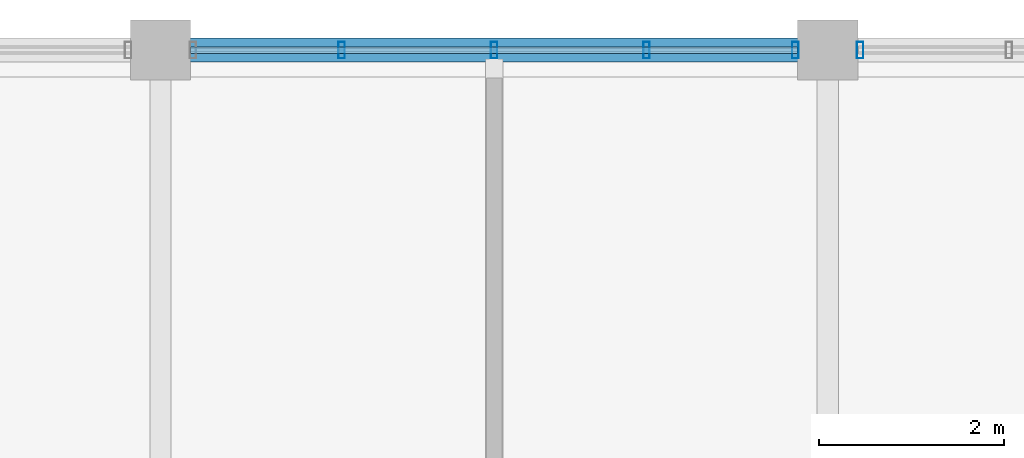
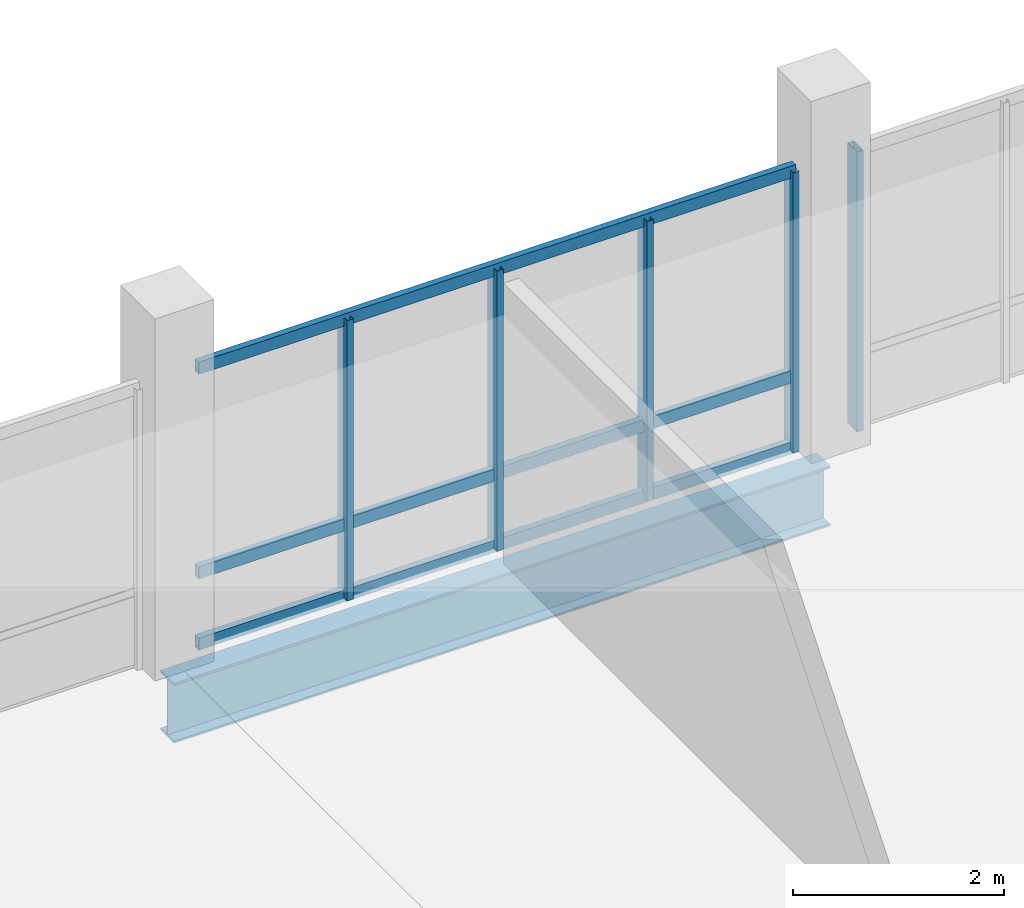
# One storey, part 51 of 144: 8 members, 1 beam, 2 elements without a shape of their own.
"""IFC4 building model written with IfcOpenShell, lengths in metres."""

import ifcopenshell
import ifcopenshell.guid

model = None  # the IFC model being written
_history = None  # IfcOwnerHistory: only IFC2X3 demands one
_inside = {}  # id of a spatial element -> (the spatial element, [elements in it])
_under = {}  # id of a project, library or spatial element -> (it, [spatial elements below it])
_declared = {}  # id of a project -> (the project, [libraries it declares])
_typed = {}  # id of a type object -> (the type object, [elements of that type])
_made_of = {}  # id of a material, layer set ... -> (it, [elements and type objects made of it])


def new_model(schema):
    """Start an empty IFC model of exactly this schema.

    Asked for "IFC4X3", IfcOpenShell would pick the latest addendum, in which some entities
    have other attributes; the version numbers below select the first issue.
    IFC2X3 requires an IfcOwnerHistory on every rooted entity: one is made here for all.
    """
    global model, _history
    if schema == "IFC4X3":
        model = ifcopenshell.file(schema_version=(4, 3, 0, 0))
    else:
        model = ifcopenshell.file(schema=schema)
    _inside.clear()
    _under.clear()
    _declared.clear()
    _typed.clear()
    _made_of.clear()
    _history = None
    if model.schema == "IFC2X3":
        org = make("IfcOrganization", Name="unknown")
        user = make(
            "IfcPersonAndOrganization",
            ThePerson=make("IfcPerson", FamilyName="unknown"),
            TheOrganization=org,
        )
        app = make(
            "IfcApplication",
            ApplicationDeveloper=org,
            Version="unknown",
            ApplicationFullName="unknown",
            ApplicationIdentifier="unknown",
        )
        _history = make(
            "IfcOwnerHistory",
            OwningUser=user,
            OwningApplication=app,
            ChangeAction="ADDED",
            CreationDate=0,
        )
    return model


def make(cls, **values):
    """One entity of the class cls with the attributes given. An attribute that is None is left unset."""
    return model.create_entity(
        cls, **{name: value for name, value in values.items() if value is not None}
    )


def rooted(cls, **values):
    """An entity with a GlobalId (a new one), such as an element, a storey or a relation."""
    return make(cls, GlobalId=ifcopenshell.guid.new(), OwnerHistory=_history, **values)


def si_unit(unit_type, name, prefix=None):
    """IfcSIUnit, for example si_unit("LENGTHUNIT", "METRE", prefix="MILLI")."""
    return make("IfcSIUnit", UnitType=unit_type, Prefix=prefix, Name=name)


def assignment(units):
    """IfcUnitAssignment: the units of a project."""
    return None if units is None else make("IfcUnitAssignment", Units=units)


def point(xyz):
    """IfcCartesianPoint."""
    return None if xyz is None else make("IfcCartesianPoint", Coordinates=xyz)


def direction(xyz):
    """IfcDirection."""
    return None if xyz is None else make("IfcDirection", DirectionRatios=xyz)


def frame(location, z_axis=None, x_axis=None):
    """IfcAxis2Placement3D, a coordinate frame: its origin and axes. An axis left out is left unset."""
    return make(
        "IfcAxis2Placement3D",
        Location=point(location),
        Axis=direction(z_axis),
        RefDirection=direction(x_axis),
    )


def frame_2d(location, x_axis=None):
    """IfcAxis2Placement2D, a coordinate frame in the plane: its origin and x axis."""
    return make(
        "IfcAxis2Placement2D", Location=point(location), RefDirection=direction(x_axis)
    )


def origin():
    """The frame at (0, 0, 0) with its axes left unset."""
    return frame((0.0, 0.0, 0.0))


def origin_2d():
    """The frame at (0, 0) in the plane with its x axis left unset."""
    return frame_2d((0.0, 0.0))


def place(relative_to, where):
    """IfcLocalPlacement: puts the frame where relative to a parent placement (None: the world)."""
    return make(
        "IfcLocalPlacement", PlacementRelTo=relative_to, RelativePlacement=where
    )


def context(
    kind, dimensions, precision=None, world=None, true_north=None, identifier=None
):
    """IfcGeometricRepresentationContext, for example the 3D "Model" context."""
    return make(
        "IfcGeometricRepresentationContext",
        ContextIdentifier=identifier,
        ContextType=kind,
        CoordinateSpaceDimension=dimensions,
        Precision=precision,
        WorldCoordinateSystem=world,
        TrueNorth=true_north,
    )


def subcontext(parent, identifier, kind, view, scale=None):
    """IfcGeometricRepresentationSubContext, for example "Body" below "Model"."""
    return make(
        "IfcGeometricRepresentationSubContext",
        ContextIdentifier=identifier,
        ContextType=kind,
        ParentContext=parent,
        TargetScale=scale,
        TargetView=view,
    )


def project(units=None, contexts=None):
    """IfcProject with its units and contexts."""
    return rooted(
        "IfcProject",
        Name="project",
        RepresentationContexts=contexts,
        UnitsInContext=assignment(units),
    )


def spatial(cls, under=None, at=None, **own):
    """A site, building, storey or space (cls), placed at a placement, below another one or the project."""
    s = rooted(cls, ObjectPlacement=at, **own)
    if under is not None:
        _under.setdefault(under.id(), (under, []))[1].append(s)
    return s


def profile(cls, at=None, kind="AREA", **sizes):
    """A parametric profile (cls). Its sizes go by their IFC names, for example OverallWidth=200.0."""
    return make(cls, ProfileType=kind, Position=at, **sizes)


def hollow_rectangle(**sizes):
    """IfcRectangleHollowProfileDef."""
    return profile("IfcRectangleHollowProfileDef", **sizes)


def i_section(**sizes):
    """IfcIShapeProfileDef."""
    return profile("IfcIShapeProfileDef", **sizes)


def extrude(swept, where, along, depth):
    """IfcExtrudedAreaSolid: the profile swept, set in the frame where, extruded along a direction by depth."""
    return make(
        "IfcExtrudedAreaSolid",
        SweptArea=swept,
        Position=where,
        ExtrudedDirection=direction(along),
        Depth=depth,
    )


def shape(context_of_items, identifier, shape_type, items):
    """IfcShapeRepresentation: the items that make up one representation, for example the "Body"."""
    return make(
        "IfcShapeRepresentation",
        ContextOfItems=context_of_items,
        RepresentationIdentifier=identifier,
        RepresentationType=shape_type,
        Items=items,
    )


def material(Name=None, Category=None):
    """IfcMaterial."""
    return make("IfcMaterial", Name=Name, Category=Category)


def material_profile(
    of_material, cross_section, Name=None, Category=None, Priority=None
):
    """IfcMaterialProfile: a cross section and its material."""
    return make(
        "IfcMaterialProfile",
        Name=Name,
        Material=of_material,
        Profile=cross_section,
        Priority=Priority,
        Category=Category,
    )


def profile_set(profiles, Name=None, composite=None):
    """IfcMaterialProfileSet."""
    return make(
        "IfcMaterialProfileSet",
        Name=Name,
        MaterialProfiles=profiles,
        CompositeProfile=composite,
    )


def made_of(thing, what):
    """Note that an element or type object is made of a material, layer set ...; save() writes the relation."""
    if what is not None:
        _made_of.setdefault(what.id(), (what, []))[1].append(thing)
    return thing


def type_object(cls, material=None, **own):
    """A type object (cls), such as IfcWallType, which elements share."""
    return made_of(rooted(cls, **own), material)


def element(
    cls,
    number,
    at=None,
    inside=None,
    cuts=None,
    type_object=None,
    material=None,
    context=None,
    identifier="Body",
    shape_type=None,
    held_by="IfcProductDefinitionShape",
    body=None,
    shapes=None,
    **own,
):
    """One element of the class cls, such as IfcWall. Its Tag is "e" and its number.

    at: its placement. inside: the storey or other place that contains it. cuts: it is an
    opening in that element (IfcRelVoidsElement). A single representation is given by context,
    identifier, shape_type and body (its items); several are given by shapes. held_by: the class
    of the entity that holds the representations. save() writes the other relations.
    """
    e = rooted(cls, Tag="e%d" % number, ObjectPlacement=at, **own)
    if body is not None:
        shapes = [shape(context, identifier, shape_type, body)]
    if shapes is not None:
        e.Representation = make(held_by, Representations=shapes)
    if inside is not None:
        _inside.setdefault(inside.id(), (inside, []))[1].append(e)
    if cuts is not None:
        rooted(
            "IfcRelVoidsElement", RelatingBuildingElement=cuts, RelatedOpeningElement=e
        )
    if type_object is not None:
        _typed.setdefault(type_object.id(), (type_object, []))[1].append(e)
    return made_of(e, material)


def aggregate(whole, parts):
    """IfcRelAggregates: a whole, such as a stair, and the parts it consists of."""
    return rooted("IfcRelAggregates", RelatingObject=whole, RelatedObjects=parts)


def save(model, path):
    """Write the relations noted so far, then the file.

    IfcRelAggregates (storeys below a building ...), IfcRelContainedInSpatialStructure (elements
    in a storey), IfcRelDefinesByType, IfcRelAssociatesMaterial and IfcRelDeclares: one each for
    every whole, place, type object, material and project.
    """
    for whole, parts in _under.values():
        aggregate(whole, parts)
    for where, things in _inside.values():
        rooted(
            "IfcRelContainedInSpatialStructure",
            RelatedElements=things,
            RelatingStructure=where,
        )
    for kind, things in _typed.values():
        rooted("IfcRelDefinesByType", RelatedObjects=things, RelatingType=kind)
    for what, things in _made_of.values():
        rooted("IfcRelAssociatesMaterial", RelatedObjects=things, RelatingMaterial=what)
    for by, libraries in _declared.values():
        rooted("IfcRelDeclares", RelatingContext=by, RelatedDefinitions=libraries)
    model.write(path)


model = new_model("IFC4")

# Units and contexts
model_context = context("Model", 3, precision=1e-05, world=origin(), true_north=direction((0.0, 1.0)))
body_context = subcontext(model_context, "Body", "Model", "MODEL_VIEW")
ifc_project = project(units=[si_unit("LENGTHUNIT", "METRE"), si_unit("AREAUNIT", "SQUARE_METRE"), si_unit("VOLUMEUNIT", "CUBIC_METRE"), si_unit("PLANEANGLEUNIT", "RADIAN"), si_unit("MASSUNIT", "GRAM", prefix="KILO")], contexts=[model_context])

# Site, building, storey
site_placement = place(None, origin())
site = spatial("IfcSite", under=ifc_project, at=site_placement, CompositionType="ELEMENT")
building_placement = place(site_placement, origin())
building = spatial("IfcBuilding", under=site, at=building_placement, Name="Yarey Park Central Fire Station", CompositionType="ELEMENT")
storey_placement = place(building_placement, frame((0.0, 0.0, 10.199951171875)))
storey = spatial("IfcBuildingStorey", under=building, at=storey_placement, Name="L03", CompositionType="ELEMENT", Elevation=10.199951171875)

# Curtain wall, members
ifc_material_1 = material(Name="Anodized Aluminium Frame", Category="aluminium")
curtain_wall_type = type_object("IfcCurtainWallType", Name="ENV_CW_HQ_L03", PredefinedType="NOTDEFINED", material=ifc_material_1)
curtain_wall_1_placement = place(storey_placement, origin())
curtain_wall_1 = element("IfcCurtainWall", 1, at=curtain_wall_1_placement, inside=storey, type_object=curtain_wall_type, Name="CW_L03_V4_N_3", PredefinedType="NOTDEFINED")
ifc_material_profile_1 = material_profile(ifc_material_1, hollow_rectangle(XDim=0.070068359375, YDim=0.179931640625, WallThickness=0.00390625, at=origin_2d()), Name="ALU 180x70x4")
ifc_profile_set_1 = profile_set([ifc_material_profile_1], Name="Anodized Aluminium Frame")
member_type_1 = type_object("IfcMemberType", Name="ENV_CW_MULLION", PredefinedType="MULLION", material=ifc_profile_set_1)
member_1_placement = place(storey_placement, frame((136.449951171875, 115.199951171875, 0.0), z_axis=(0.0, 0.0, 1.0), x_axis=(1.0, 0.0, 0.0)))
member_1 = element("IfcMember", 2, at=member_1_placement, type_object=member_type_1, Name="CW_L03_V4_N_3_MUL1", PredefinedType="MULLION", context=body_context, shape_type="SweptSolid", body=[
    extrude(hollow_rectangle(XDim=0.070068359375, YDim=0.179931640625, WallThickness=0.00390625, at=origin_2d()), origin(), (0.0, 0.0, 1.0), 3.25),
])
member_2_placement = place(storey_placement, frame((134.844970703125, 115.199951171875, 0.0), z_axis=(0.0, 0.0, 1.0), x_axis=(1.0, 0.0, 0.0)))
member_2 = element("IfcMember", 3, at=member_2_placement, type_object=member_type_1, Name="CW_L03_V4_N_3_MUL2", PredefinedType="MULLION", context=body_context, shape_type="SweptSolid", body=[
    extrude(hollow_rectangle(XDim=0.070068359375, YDim=0.179931640625, WallThickness=0.00390625, at=origin_2d()), origin(), (0.0, 0.0, 1.0), 3.25),
])
member_3_placement = place(storey_placement, frame((133.199951171875, 115.199951171875, 0.0), z_axis=(0.0, 0.0, 1.0), x_axis=(1.0, 0.0, 0.0)))
member_3 = element("IfcMember", 4, at=member_3_placement, type_object=member_type_1, Name="CW_L03_V4_N_3_MUL3", PredefinedType="MULLION", context=body_context, shape_type="SweptSolid", body=[
    extrude(hollow_rectangle(XDim=0.070068359375, YDim=0.179931640625, WallThickness=0.00390625, at=origin_2d()), origin(), (0.0, 0.0, 1.0), 3.25),
])
member_4_placement = place(storey_placement, frame((131.554931640625, 115.199951171875, 0.0), z_axis=(0.0, 0.0, 1.0), x_axis=(1.0, 0.0, 0.0)))
member_4 = element("IfcMember", 5, at=member_4_placement, type_object=member_type_1, Name="CW_L03_V4_N_3_MUL4", PredefinedType="MULLION", context=body_context, shape_type="SweptSolid", body=[
    extrude(hollow_rectangle(XDim=0.070068359375, YDim=0.179931640625, WallThickness=0.00390625, at=origin_2d()), origin(), (0.0, 0.0, 1.0), 3.25),
])

# Curtain wall, member
curtain_wall_2_placement = place(storey_placement, origin())
curtain_wall_2 = element("IfcCurtainWall", 6, at=curtain_wall_2_placement, inside=storey, type_object=curtain_wall_type, Name="CW_L03_V4_N_4", PredefinedType="NOTDEFINED")
member_5_placement = place(storey_placement, frame((137.14990234375, 115.199951171875, 0.0), z_axis=(0.0, 0.0, 1.0), x_axis=(1.0, 0.0, 0.0)))
member_5 = element("IfcMember", 7, at=member_5_placement, type_object=member_type_1, Name="CW_L03_V4_N_4_MUL5", PredefinedType="MULLION", context=body_context, shape_type="SweptSolid", body=[
    extrude(hollow_rectangle(XDim=0.070068359375, YDim=0.179931640625, WallThickness=0.00390625, at=origin_2d()), origin(), (0.0, 0.0, 1.0), 3.25),
])
aggregate(curtain_wall_2, [member_5])

# Member
ifc_material_profile_2 = material_profile(ifc_material_1, hollow_rectangle(XDim=0.070068359375, YDim=0.139892578125, WallThickness=0.00390625, at=origin_2d()), Name="ALU 140x70x4")
ifc_profile_set_2 = profile_set([ifc_material_profile_2], Name="Anodized Aluminium Frame")
member_type_2 = type_object("IfcMemberType", Name="ENV_CW_TRANSOM", PredefinedType="USERDEFINED", material=ifc_profile_set_2)
member_6_placement = place(storey_placement, frame((136.47509765625, 115.199951171875, 0.025146484375), z_axis=(-1.0, 0.0, 0.0), x_axis=(0.0, -1.0, 0.0)))
member_6 = element("IfcMember", 8, at=member_6_placement, type_object=member_type_2, Name="CW_L03_V4_N_3_TRN1", ObjectType="TRANSOM", PredefinedType="USERDEFINED", context=body_context, shape_type="SweptSolid", body=[
    extrude(hollow_rectangle(XDim=0.070068359375, YDim=0.139892578125, WallThickness=0.00390625, at=origin_2d()), origin(), (0.0, 0.0, 1.0), 6.550048828125),
])

member_7_placement = place(storey_placement, frame((136.47509765625, 115.199951171875, 0.85009765625), z_axis=(-1.0, 0.0, 0.0), x_axis=(0.0, -1.0, 0.0)))
member_7 = element("IfcMember", 9, at=member_7_placement, type_object=member_type_2, Name="CW_L03_V4_N_3_TRN2", ObjectType="TRANSOM", PredefinedType="USERDEFINED", context=body_context, shape_type="SweptSolid", body=[
    extrude(hollow_rectangle(XDim=0.070068359375, YDim=0.139892578125, WallThickness=0.00390625, at=origin_2d()), origin(), (0.0, 0.0, 1.0), 6.550048828125),
])

member_8_placement = place(storey_placement, frame((136.47509765625, 115.199951171875, 3.22509765625), z_axis=(-1.0, 0.0, 0.0), x_axis=(0.0, -1.0, 0.0)))
member_8 = element("IfcMember", 10, at=member_8_placement, type_object=member_type_2, Name="CW_L03_V4_N_3_TRN3", ObjectType="TRANSOM", PredefinedType="USERDEFINED", context=body_context, shape_type="SweptSolid", body=[
    extrude(hollow_rectangle(XDim=0.070068359375, YDim=0.139892578125, WallThickness=0.00390625, at=origin_2d()), origin(), (0.0, 0.0, 1.0), 6.550048828125),
])

aggregate(curtain_wall_1, [member_1, member_2, member_3, member_4, member_6, member_7, member_8])

# Beam
ifc_material_2 = material(Name="Steel ASTM A992 Gr. 50", Category="steel")
ifc_material_profile_3 = material_profile(ifc_material_2, i_section(OverallWidth=0.256103515625, OverallDepth=0.693115234375, WebThickness=0.014404296875, FlangeThickness=0.023681640625, at=origin_2d()), Name="W690x170")
ifc_profile_set_3 = profile_set([ifc_material_profile_3], Name="Steel ASTM A992 Gr. 50")
beam_type = type_object("IfcBeamType", Name="STR_BM_W690", PredefinedType="BEAM", material=ifc_profile_set_3)
beam_placement = place(storey_placement, frame((129.60009765625, 115.199951171875, -0.6064453125), z_axis=(1.0, 0.0, 0.0), x_axis=(0.0, 1.0, 0.0)))
element("IfcBeam", 11, at=beam_placement, inside=storey, type_object=beam_type, Name="BMX L03 Y1152 X1296", PredefinedType="BEAM", context=body_context, shape_type="SweptSolid", body=[
    extrude(i_section(OverallWidth=0.256103515625, OverallDepth=0.693115234375, WebThickness=0.014404296875, FlangeThickness=0.023681640625, at=origin_2d()), origin(), (0.0, 0.0, 1.0), 7.199951171875),
])

save(model, "model.ifc")
